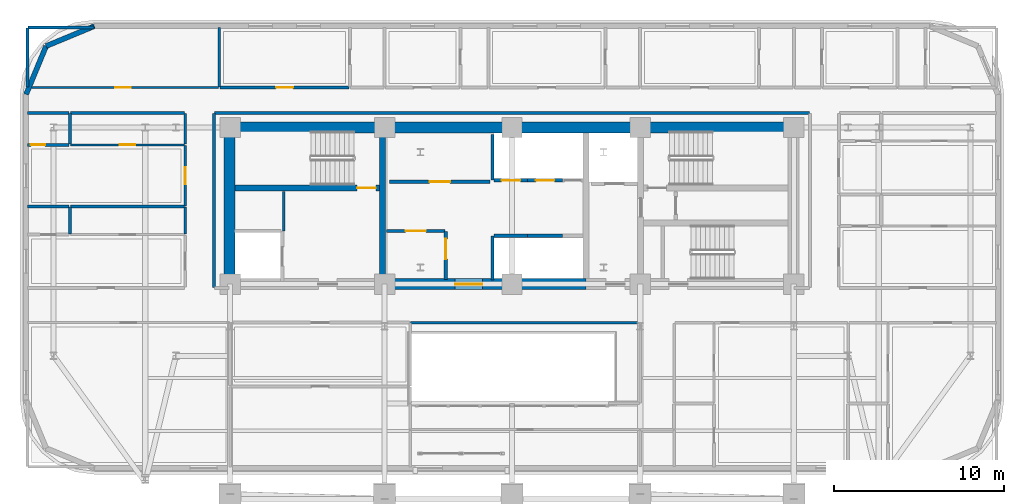
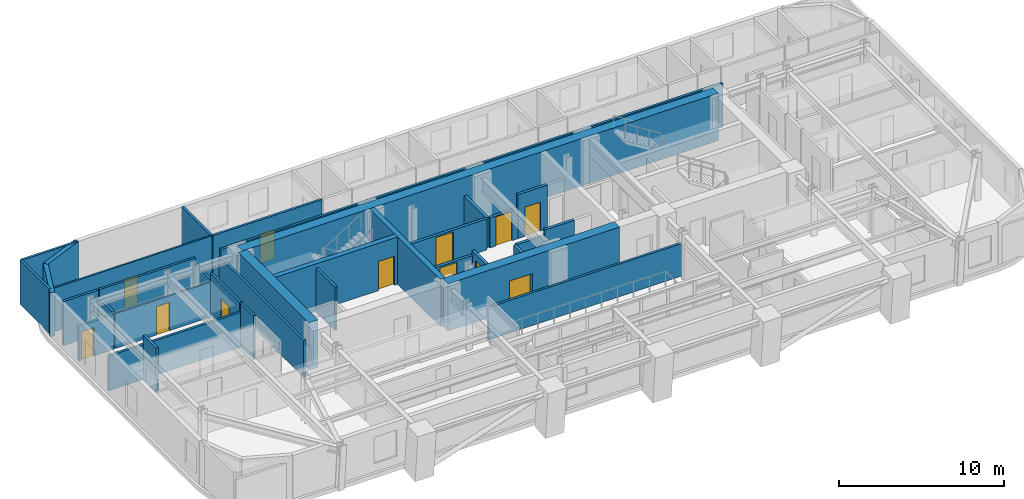
# One storey, part 9 of 16: 36 walls, 12 doors, 12 openings.
"""IFC4 building model written with IfcOpenShell, lengths in metres."""

import ifcopenshell
import ifcopenshell.guid

model = None  # the IFC model being written
_history = None  # IfcOwnerHistory: only IFC2X3 demands one
_inside = {}  # id of a spatial element -> (the spatial element, [elements in it])
_under = {}  # id of a project, library or spatial element -> (it, [spatial elements below it])
_declared = {}  # id of a project -> (the project, [libraries it declares])
_typed = {}  # id of a type object -> (the type object, [elements of that type])
_made_of = {}  # id of a material, layer set ... -> (it, [elements and type objects made of it])


def new_model(schema):
    """Start an empty IFC model of exactly this schema.

    Asked for "IFC4X3", IfcOpenShell would pick the latest addendum, in which some entities
    have other attributes; the version numbers below select the first issue.
    IFC2X3 requires an IfcOwnerHistory on every rooted entity: one is made here for all.
    """
    global model, _history
    if schema == "IFC4X3":
        model = ifcopenshell.file(schema_version=(4, 3, 0, 0))
    else:
        model = ifcopenshell.file(schema=schema)
    _inside.clear()
    _under.clear()
    _declared.clear()
    _typed.clear()
    _made_of.clear()
    _history = None
    if model.schema == "IFC2X3":
        org = make("IfcOrganization", Name="unknown")
        user = make(
            "IfcPersonAndOrganization",
            ThePerson=make("IfcPerson", FamilyName="unknown"),
            TheOrganization=org,
        )
        app = make(
            "IfcApplication",
            ApplicationDeveloper=org,
            Version="unknown",
            ApplicationFullName="unknown",
            ApplicationIdentifier="unknown",
        )
        _history = make(
            "IfcOwnerHistory",
            OwningUser=user,
            OwningApplication=app,
            ChangeAction="ADDED",
            CreationDate=0,
        )
    return model


def make(cls, **values):
    """One entity of the class cls with the attributes given. An attribute that is None is left unset."""
    return model.create_entity(
        cls, **{name: value for name, value in values.items() if value is not None}
    )


def rooted(cls, **values):
    """An entity with a GlobalId (a new one), such as an element, a storey or a relation."""
    return make(cls, GlobalId=ifcopenshell.guid.new(), OwnerHistory=_history, **values)


def si_unit(unit_type, name, prefix=None):
    """IfcSIUnit, for example si_unit("LENGTHUNIT", "METRE", prefix="MILLI")."""
    return make("IfcSIUnit", UnitType=unit_type, Prefix=prefix, Name=name)


def assignment(units):
    """IfcUnitAssignment: the units of a project."""
    return None if units is None else make("IfcUnitAssignment", Units=units)


def point(xyz):
    """IfcCartesianPoint."""
    return None if xyz is None else make("IfcCartesianPoint", Coordinates=xyz)


def direction(xyz):
    """IfcDirection."""
    return None if xyz is None else make("IfcDirection", DirectionRatios=xyz)


def frame(location, z_axis=None, x_axis=None):
    """IfcAxis2Placement3D, a coordinate frame: its origin and axes. An axis left out is left unset."""
    return make(
        "IfcAxis2Placement3D",
        Location=point(location),
        Axis=direction(z_axis),
        RefDirection=direction(x_axis),
    )


def frame_2d(location, x_axis=None):
    """IfcAxis2Placement2D, a coordinate frame in the plane: its origin and x axis."""
    return make(
        "IfcAxis2Placement2D", Location=point(location), RefDirection=direction(x_axis)
    )


def origin():
    """The frame at (0, 0, 0) with its axes left unset."""
    return frame((0.0, 0.0, 0.0))


def place(relative_to, where):
    """IfcLocalPlacement: puts the frame where relative to a parent placement (None: the world)."""
    return make(
        "IfcLocalPlacement", PlacementRelTo=relative_to, RelativePlacement=where
    )


def context(
    kind, dimensions, precision=None, world=None, true_north=None, identifier=None
):
    """IfcGeometricRepresentationContext, for example the 3D "Model" context."""
    return make(
        "IfcGeometricRepresentationContext",
        ContextIdentifier=identifier,
        ContextType=kind,
        CoordinateSpaceDimension=dimensions,
        Precision=precision,
        WorldCoordinateSystem=world,
        TrueNorth=true_north,
    )


def subcontext(parent, identifier, kind, view, scale=None):
    """IfcGeometricRepresentationSubContext, for example "Body" below "Model"."""
    return make(
        "IfcGeometricRepresentationSubContext",
        ContextIdentifier=identifier,
        ContextType=kind,
        ParentContext=parent,
        TargetScale=scale,
        TargetView=view,
    )


def project(units=None, contexts=None):
    """IfcProject with its units and contexts."""
    return rooted(
        "IfcProject",
        Name="project",
        RepresentationContexts=contexts,
        UnitsInContext=assignment(units),
    )


def spatial(cls, under=None, at=None, **own):
    """A site, building, storey or space (cls), placed at a placement, below another one or the project."""
    s = rooted(cls, ObjectPlacement=at, **own)
    if under is not None:
        _under.setdefault(under.id(), (under, []))[1].append(s)
    return s


def profile(cls, at=None, kind="AREA", **sizes):
    """A parametric profile (cls). Its sizes go by their IFC names, for example OverallWidth=200.0."""
    return make(cls, ProfileType=kind, Position=at, **sizes)


def rectangle(**sizes):
    """IfcRectangleProfileDef."""
    return profile("IfcRectangleProfileDef", **sizes)


def extrude(swept, where, along, depth):
    """IfcExtrudedAreaSolid: the profile swept, set in the frame where, extruded along a direction by depth."""
    return make(
        "IfcExtrudedAreaSolid",
        SweptArea=swept,
        Position=where,
        ExtrudedDirection=direction(along),
        Depth=depth,
    )


def shape(context_of_items, identifier, shape_type, items):
    """IfcShapeRepresentation: the items that make up one representation, for example the "Body"."""
    return make(
        "IfcShapeRepresentation",
        ContextOfItems=context_of_items,
        RepresentationIdentifier=identifier,
        RepresentationType=shape_type,
        Items=items,
    )


def material(Name=None, Category=None):
    """IfcMaterial."""
    return make("IfcMaterial", Name=Name, Category=Category)


def layer(
    of_material, thickness, ventilated=None, Name=None, Category=None, Priority=None
):
    """IfcMaterialLayer: one layer of a wall or slab, of a material (None: an air gap)."""
    return make(
        "IfcMaterialLayer",
        Material=of_material,
        LayerThickness=thickness,
        IsVentilated=ventilated,
        Name=Name,
        Category=Category,
        Priority=Priority,
    )


def layer_set(layers, Name=None):
    """IfcMaterialLayerSet."""
    return make("IfcMaterialLayerSet", MaterialLayers=layers, LayerSetName=Name)


def made_of(thing, what):
    """Note that an element or type object is made of a material, layer set ...; save() writes the relation."""
    if what is not None:
        _made_of.setdefault(what.id(), (what, []))[1].append(thing)
    return thing


def type_object(cls, material=None, **own):
    """A type object (cls), such as IfcWallType, which elements share."""
    return made_of(rooted(cls, **own), material)


def element(
    cls,
    number,
    at=None,
    inside=None,
    cuts=None,
    type_object=None,
    material=None,
    context=None,
    identifier="Body",
    shape_type=None,
    held_by="IfcProductDefinitionShape",
    body=None,
    shapes=None,
    **own,
):
    """One element of the class cls, such as IfcWall. Its Tag is "e" and its number.

    at: its placement. inside: the storey or other place that contains it. cuts: it is an
    opening in that element (IfcRelVoidsElement). A single representation is given by context,
    identifier, shape_type and body (its items); several are given by shapes. held_by: the class
    of the entity that holds the representations. save() writes the other relations.
    """
    e = rooted(cls, Tag="e%d" % number, ObjectPlacement=at, **own)
    if body is not None:
        shapes = [shape(context, identifier, shape_type, body)]
    if shapes is not None:
        e.Representation = make(held_by, Representations=shapes)
    if inside is not None:
        _inside.setdefault(inside.id(), (inside, []))[1].append(e)
    if cuts is not None:
        rooted(
            "IfcRelVoidsElement", RelatingBuildingElement=cuts, RelatedOpeningElement=e
        )
    if type_object is not None:
        _typed.setdefault(type_object.id(), (type_object, []))[1].append(e)
    return made_of(e, material)


def fill(opening, filler):
    """IfcRelFillsElement: the door or window that sits in an opening."""
    return rooted(
        "IfcRelFillsElement",
        RelatingOpeningElement=opening,
        RelatedBuildingElement=filler,
    )


def aggregate(whole, parts):
    """IfcRelAggregates: a whole, such as a stair, and the parts it consists of."""
    return rooted("IfcRelAggregates", RelatingObject=whole, RelatedObjects=parts)


def save(model, path):
    """Write the relations noted so far, then the file.

    IfcRelAggregates (storeys below a building ...), IfcRelContainedInSpatialStructure (elements
    in a storey), IfcRelDefinesByType, IfcRelAssociatesMaterial and IfcRelDeclares: one each for
    every whole, place, type object, material and project.
    """
    for whole, parts in _under.values():
        aggregate(whole, parts)
    for where, things in _inside.values():
        rooted(
            "IfcRelContainedInSpatialStructure",
            RelatedElements=things,
            RelatingStructure=where,
        )
    for kind, things in _typed.values():
        rooted("IfcRelDefinesByType", RelatedObjects=things, RelatingType=kind)
    for what, things in _made_of.values():
        rooted("IfcRelAssociatesMaterial", RelatedObjects=things, RelatingMaterial=what)
    for by, libraries in _declared.values():
        rooted("IfcRelDeclares", RelatingContext=by, RelatedDefinitions=libraries)
    model.write(path)


model = new_model("IFC4")

# Units and contexts
model_context = context("Model", 3, precision=1e-05, world=origin(), true_north=direction((0.0, 1.0)))
body_context = subcontext(model_context, "Body", "Model", "MODEL_VIEW")
ifc_project = project(units=[si_unit("LENGTHUNIT", "METRE"), si_unit("AREAUNIT", "SQUARE_METRE"), si_unit("VOLUMEUNIT", "CUBIC_METRE"), si_unit("PLANEANGLEUNIT", "RADIAN"), si_unit("MASSUNIT", "GRAM", prefix="KILO")], contexts=[model_context])

# Site, building, storey
site_placement = place(None, origin())
site = spatial("IfcSite", under=ifc_project, at=site_placement, CompositionType="ELEMENT")
building_placement = place(site_placement, origin())
building = spatial("IfcBuilding", under=site, at=building_placement, Name="Zarnavel Station Tower", CompositionType="ELEMENT")
storey_placement = place(building_placement, frame((0.0, 0.0, 118.800048828125)))
storey = spatial("IfcBuildingStorey", under=building, at=storey_placement, Name="L32", CompositionType="ELEMENT", Elevation=118.800048828125)

# Wall
ifc_material_1 = material(Name="Concrete C50/60", Category="concrete")
ifc_layer_1 = layer(ifc_material_1, 0.35009765625)
ifc_layer_set_1 = layer_set([ifc_layer_1], Name="CW_350")
wall_type_1 = type_object("IfcWallType", Name="CW_350", PredefinedType="SHEAR", material=ifc_layer_set_1)
wall_1_placement = place(storey_placement, frame((21.179931640625, 28.14501953125, 0.0), z_axis=(0.0, 0.0, 1.0), x_axis=(0.0, 1.0, 0.0)))
element("IfcWall", 1, at=wall_1_placement, inside=storey, type_object=wall_type_1, Name="L32 Rear Core Shear Wall DIV-W", PredefinedType="SHEAR", context=body_context, shape_type="SweptSolid", body=[
    extrude(rectangle(XDim=8.580078125, YDim=0.35009765625, at=frame_2d((4.2900390625, 0.0))), origin(), (0.0, 0.0, 1.0), 3.5),
])

# Wall, opening, door
wall_2_placement = place(storey_placement, frame((21.0048828125, 33.47998046875, 0.0), z_axis=(0.0, 0.0, 1.0), x_axis=(-1.0, 0.0, 0.0)))
wall_2 = element("IfcWall", 2, at=wall_2_placement, inside=storey, type_object=wall_type_1, Name="L32 Rear Core Shear Wall DIV-H1", PredefinedType="SHEAR", context=body_context, shape_type="SweptSolid", body=[
    extrude(rectangle(XDim=8.52978515625, YDim=0.35009765625, at=frame_2d((4.264892578125, 0.0))), origin(), (0.0, 0.0, 1.0), 3.5),
])
opening_1_placement = place(wall_2_placement, frame((0.219970703125, 0.0, 0.0)))
opening_1 = element("IfcOpeningElement", 3, at=opening_1_placement, cuts=wall_2, Name="Opening FD01", PredefinedType="OPENING", context=body_context, shape_type="SweptSolid", body=[
    extrude(rectangle(XDim=1.10009765625, YDim=2.14990234375, at=frame_2d((0.550048828125, 1.074951171875))), frame((0.0, 0.18505859375, 0.0), z_axis=(0.0, -1.0, 0.0), x_axis=(1.0, 0.0, 0.0)), (0.0, 0.0, 1.0), 0.3701171875),
])
ifc_material_2 = material(Name="Painted Galvanised Steel and Hardwood Leaf", Category="steel")
door_type_1 = type_object("IfcDoorType", Name="ID_STAIR_1100", OperationType="NOTDEFINED", PredefinedType="DOOR", material=ifc_material_2)
door_1_placement = place(opening_1_placement, origin())
door_1 = element("IfcDoor", 4, at=door_1_placement, inside=storey, type_object=door_type_1, Name="L32 Stair ST1 Lobby Fire Door", OperationType="SINGLE_SWING_LEFT", OverallHeight=2.14990234375, OverallWidth=1.10009765625, PredefinedType="DOOR", context=body_context, shape_type="SweptSolid", body=[
    extrude(rectangle(XDim=1.10009765625, YDim=2.14990234375, at=frame_2d((0.550048828125, 1.074951171875))), frame((0.0, 0.02490234375, 0.0), z_axis=(0.0, -1.0, 0.0), x_axis=(1.0, 0.0, 0.0)), (0.0, 0.0, 1.0), 0.050048828125),
])
fill(opening_1, door_1)

# Wall
ifc_material_3 = material(Name="Concrete C60/75", Category="concrete")
ifc_layer_2 = layer(ifc_material_3, 0.64990234375)
ifc_layer_set_2 = layer_set([ifc_layer_2], Name="CW_650")
wall_type_2 = type_object("IfcWallType", Name="CW_650", PredefinedType="SHEAR", material=ifc_layer_set_2)
wall_3_placement = place(storey_placement, frame((12.14990234375, 37.050048828125, 0.0), z_axis=(0.0, 0.0, 1.0), x_axis=(1.0, 0.0, 0.0)))
element("IfcWall", 5, at=wall_3_placement, inside=storey, type_object=wall_type_2, Name="L32 Rear Core Shear Wall N", PredefinedType="SHEAR", context=body_context, shape_type="SweptSolid", body=[
    extrude(rectangle(XDim=33.22998046875, YDim=0.64990234375, at=frame_2d((16.614990234375, 0.0))), origin(), (0.0, 0.0, 1.0), 3.5),
])

# Wall, opening, door
wall_4_placement = place(storey_placement, frame((33.14990234375, 27.820068359375, 0.0), z_axis=(0.0, 0.0, 1.0), x_axis=(-1.0, 0.0, 0.0)))
wall_4 = element("IfcWall", 6, at=wall_4_placement, inside=storey, type_object=wall_type_2, Name="L32 Rear Core Shear Wall S-M", PredefinedType="SHEAR", context=body_context, shape_type="SweptSolid", body=[
    extrude(rectangle(XDim=11.969970703125, YDim=0.64990234375, at=frame_2d((5.98486328125, 0.0))), origin(), (0.0, 0.0, 1.0), 3.5),
])
opening_2_placement = place(wall_4_placement, frame((6.10009765625, 0.0, 0.0)))
opening_2 = element("IfcOpeningElement", 7, at=opening_2_placement, cuts=wall_4, Name="Opening ID03", PredefinedType="OPENING", context=body_context, shape_type="SweptSolid", body=[
    extrude(rectangle(XDim=1.60009765625, YDim=2.199951171875, at=frame_2d((0.800048828125, 1.10009765625))), frame((0.0, 0.3349609375, 0.0), z_axis=(0.0, -1.0, 0.0), x_axis=(1.0, 0.0, 0.0)), (0.0, 0.0, 1.0), 0.669921875),
])
ifc_material_4 = material(Name="Painted Galvanised Steel and Hardwood Leaf", Category="steel")
door_type_2 = type_object("IfcDoorType", Name="ID_PUBLIC_1600", OperationType="DOUBLE_DOOR_SINGLE_SWING", PredefinedType="DOOR", material=ifc_material_4)
door_2_placement = place(opening_2_placement, origin())
door_2 = element("IfcDoor", 8, at=door_2_placement, inside=storey, type_object=door_type_2, Name="L32 Passenger Lift Lobby Double Door", OperationType="SINGLE_SWING_LEFT", OverallHeight=2.199951171875, OverallWidth=1.60009765625, PredefinedType="DOOR", context=body_context, shape_type="SweptSolid", body=[
    extrude(rectangle(XDim=1.60009765625, YDim=2.199951171875, at=frame_2d((0.800048828125, 1.10009765625))), frame((0.0, 0.02490234375, 0.0), z_axis=(0.0, -1.0, 0.0), x_axis=(1.0, 0.0, 0.0)), (0.0, 0.0, 1.0), 0.050048828125),
])
fill(opening_2, door_2)

# Walls
wall_5_placement = place(storey_placement, frame((12.14990234375, 28.14501953125, 0.0), z_axis=(0.0, 0.0, 1.0), x_axis=(0.0, 1.0, 0.0)))
element("IfcWall", 9, at=wall_5_placement, inside=storey, type_object=wall_type_2, Name="L32 Rear Core Shear Wall W", PredefinedType="SHEAR", context=body_context, shape_type="SweptSolid", body=[
    extrude(rectangle(XDim=8.580078125, YDim=0.64990234375, at=frame_2d((4.2900390625, 0.0))), origin(), (0.0, 0.0, 1.0), 3.5),
])
ifc_material_5 = material(Name="Precast concrete C45/55 (Dark Basalt Finish)", Category="masonry")
ifc_layer_3 = layer(ifc_material_5, 0.300048828125)
ifc_layer_set_3 = layer_set([ifc_layer_3], Name="EW_BASALT_300")
wall_type_3 = type_object("IfcWallType", Name="EW_BASALT_300", PredefinedType="SOLIDWALL", material=ifc_layer_set_3)
for number, where, z_axis, x_axis, name in (
    (10, (1.357421875, 41.842529296875, 0.0), (0.0, 0.0, 1.0), (0.923870793506, 0.382704529509, 0.0), "L32 Exterior Basalt Masonry Frame Wall 07"),
    (11, (0.179931640625, 39.0, 0.0), (0.0, 0.0, 1.0), (0.382704529509, 0.923870793506, 0.0), "L32 Exterior Basalt Masonry Frame Wall 08"),
):
    element("IfcWall", number, at=place(storey_placement, frame(where, z_axis=z_axis, x_axis=x_axis)), inside=storey, type_object=wall_type_3, Name=name, PredefinedType="SOLIDWALL", context=body_context, shape_type="SweptSolid", body=[
        extrude(rectangle(XDim=3.07666015625, YDim=0.300048828125, at=frame_2d((1.538330078125, 0.0))), origin(), (0.0, 0.0, 1.0), 3.239990234375),
    ])
ifc_material_6 = material(Name="Gypsum Twin-Stud Acoustic Fire Partition", Category="concrete")
ifc_layer_4 = layer(ifc_material_6, 0.159912109375)
ifc_layer_set_4 = layer_set([ifc_layer_4], Name="PT_DEMISE_160")
wall_type_4 = type_object("IfcWallType", Name="PT_DEMISE_160", PredefinedType="PARTITIONING", material=ifc_layer_set_4)
wall_6_placement = place(storey_placement, frame((9.550048828125, 30.781005859375, 0.0), z_axis=(0.0, 0.0, 1.0), x_axis=(0.0, 1.0, 0.0)))
element("IfcWall", 12, at=wall_6_placement, inside=storey, type_object=wall_type_4, Name="L32 Partition COR-W-FNW1S", PredefinedType="PARTITIONING", context=body_context, shape_type="SweptSolid", body=[
    extrude(rectangle(XDim=1.570068359375, YDim=0.159912109375, at=frame_2d((0.78515625, 0.0))), origin(), (0.0, 0.0, 1.0), 3.239990234375),
])

# Wall, opening, door
wall_7_placement = place(storey_placement, frame((9.550048828125, 32.430908203125, 0.0), z_axis=(0.0, 0.0, 1.0), x_axis=(0.0, 1.0, 0.0)))
wall_7 = element("IfcWall", 13, at=wall_7_placement, inside=storey, type_object=wall_type_4, Name="L32 Partition COR-W-FNW2R", PredefinedType="PARTITIONING", context=body_context, shape_type="SweptSolid", body=[
    extrude(rectangle(XDim=3.55615234375, YDim=0.159912109375, at=frame_2d((1.778076171875, 0.0))), origin(), (0.0, 0.0, 1.0), 3.239990234375),
])
opening_3_placement = place(wall_7_placement, frame((1.278076171875, 0.0, 0.0)))
opening_3 = element("IfcOpeningElement", 14, at=opening_3_placement, cuts=wall_7, Name="Opening FD02", PredefinedType="OPENING", context=body_context, shape_type="SweptSolid", body=[
    extrude(rectangle(XDim=1.0, YDim=2.14990234375, at=frame_2d((0.5, 1.074951171875))), frame((0.0, 0.08984375, 0.0), z_axis=(0.0, -1.0, 0.0), x_axis=(1.0, 0.0, 0.0)), (0.0, 0.0, 1.0), 0.179931640625),
])
ifc_material_7 = material(Name="Painted Galvanised Steel and Hardwood Leaf", Category="steel")
door_type_3 = type_object("IfcDoorType", Name="ID_ENTRY_1000", OperationType="NOTDEFINED", PredefinedType="DOOR", material=ifc_material_7)
door_3_placement = place(opening_3_placement, origin())
door_3 = element("IfcDoor", 15, at=door_3_placement, inside=storey, type_object=door_type_3, Name="L32 Door COR-W-FNW2R", OperationType="SINGLE_SWING_RIGHT", OverallHeight=2.14990234375, OverallWidth=1.0, PredefinedType="DOOR", context=body_context, shape_type="SweptSolid", body=[
    extrude(rectangle(XDim=1.0, YDim=2.14990234375, at=frame_2d((0.5, 1.074951171875))), frame((0.0, 0.02490234375, 0.0), z_axis=(0.0, -1.0, 0.0), x_axis=(1.0, 0.0, 0.0)), (0.0, 0.0, 1.0), 0.050048828125),
])
fill(opening_3, door_3)

# Walls
wall_8_placement = place(storey_placement, frame((9.550048828125, 36.06689453125, 0.0), z_axis=(0.0, 0.0, 1.0), x_axis=(0.0, 1.0, 0.0)))
element("IfcWall", 16, at=wall_8_placement, inside=storey, type_object=wall_type_4, Name="L32 Partition COR-W-FNW2S", PredefinedType="PARTITIONING", context=body_context, shape_type="SweptSolid", body=[
    extrude(rectangle(XDim=1.793212890625, YDim=0.159912109375, at=frame_2d((0.896484375, 0.0))), origin(), (0.0, 0.0, 1.0), 2.719970703125),
])
wall_9_placement = place(storey_placement, frame((2.800048828125, 37.89990234375, 0.0), z_axis=(0.0, 0.0, 1.0), x_axis=(1.0, 0.0, 0.0)))
element("IfcWall", 17, at=wall_9_placement, inside=storey, type_object=wall_type_4, Name="L32 Partition COR-N-FNW2S", PredefinedType="PARTITIONING", context=body_context, shape_type="SweptSolid", body=[
    extrude(rectangle(XDim=6.7099609375, YDim=0.159912109375, at=frame_2d((3.35498046875, 0.0))), origin(), (0.0, 0.0, 1.0), 3.239990234375),
])

# Wall, opening, door
wall_10_placement = place(storey_placement, frame((11.60009765625, 39.39990234375, 0.0), z_axis=(0.0, 0.0, 1.0), x_axis=(1.0, 0.0, 0.0)))
wall_10 = element("IfcWall", 18, at=wall_10_placement, inside=storey, type_object=wall_type_4, Name="L32 Partition COR-N-HN1R", PredefinedType="PARTITIONING", context=body_context, shape_type="SweptSolid", body=[
    extrude(rectangle(XDim=7.60986328125, YDim=0.159912109375, at=frame_2d((3.804931640625, 0.0))), origin(), (0.0, 0.0, 1.0), 3.239990234375),
])
opening_4_placement = place(wall_10_placement, frame((3.304931640625, 0.0, 0.0)))
opening_4 = element("IfcOpeningElement", 19, at=opening_4_placement, cuts=wall_10, Name="Opening FD02", PredefinedType="OPENING", context=body_context, shape_type="SweptSolid", body=[
    extrude(rectangle(XDim=1.0, YDim=2.14990234375, at=frame_2d((0.5, 1.074951171875))), frame((0.0, 0.08984375, 0.0), z_axis=(0.0, -1.0, 0.0), x_axis=(1.0, 0.0, 0.0)), (0.0, 0.0, 1.0), 0.179931640625),
])
door_4_placement = place(opening_4_placement, origin())
door_4 = element("IfcDoor", 20, at=door_4_placement, inside=storey, type_object=door_type_3, Name="L32 Door COR-N-HN1R", OperationType="SINGLE_SWING_RIGHT", OverallHeight=2.14990234375, OverallWidth=1.0, PredefinedType="DOOR", context=body_context, shape_type="SweptSolid", body=[
    extrude(rectangle(XDim=1.0, YDim=2.14990234375, at=frame_2d((0.5, 1.074951171875))), frame((0.0, 0.02490234375, 0.0), z_axis=(0.0, -1.0, 0.0), x_axis=(1.0, 0.0, 0.0)), (0.0, 0.0, 1.0), 0.050048828125),
])
fill(opening_4, door_4)

# Walls
wall_11_placement = place(storey_placement, frame((2.800048828125, 32.39111328125, 0.0), z_axis=(0.0, 0.0, 1.0), x_axis=(1.0, 0.0, 0.0)))
element("IfcWall", 21, at=wall_11_placement, inside=storey, type_object=wall_type_4, Name="L32 Partition FNW1S-FNW2R", PredefinedType="PARTITIONING", context=body_context, shape_type="SweptSolid", body=[
    extrude(rectangle(XDim=6.7099609375, YDim=0.159912109375, at=frame_2d((3.35498046875, 0.0))), origin(), (0.0, 0.0, 1.0), 2.570068359375),
])
wall_12_placement = place(storey_placement, frame((11.56005859375, 39.43994140625, 0.0), z_axis=(0.0, 0.0, 1.0), x_axis=(0.0, 1.0, 0.0)))
element("IfcWall", 22, at=wall_12_placement, inside=storey, type_object=wall_type_4, Name="L32 Partition HSKP-HN1R", PredefinedType="PARTITIONING", context=body_context, shape_type="SweptSolid", body=[
    extrude(rectangle(XDim=3.5, YDim=0.159912109375, at=frame_2d((1.75, 0.0))), origin(), (0.0, 0.0, 1.0), 3.239990234375),
])
wall_13_placement = place(storey_placement, frame((15.35009765625, 30.9599609375, 0.0), z_axis=(0.0, 0.0, 1.0), x_axis=(0.0, 1.0, 0.0)))
element("IfcWall", 23, at=wall_13_placement, inside=storey, type_object=wall_type_4, Name="L32 Enclosure Wall FFL1", PredefinedType="PARTITIONING", context=body_context, shape_type="SweptSolid", body=[
    extrude(rectangle(XDim=2.31005859375, YDim=0.159912109375, at=frame_2d((1.155029296875, 0.0))), origin(), (0.0, 0.0, 1.0), 3.239990234375),
])
wall_14_placement = place(storey_placement, frame((22.830078125, 25.550048828125, 0.0), z_axis=(0.0, 0.0, 1.0), x_axis=(1.0, 0.0, 0.0)))
element("IfcWall", 24, at=wall_14_placement, inside=storey, type_object=wall_type_4, Name="L32 Enclosure Wall COR-S", PredefinedType="PARTITIONING", context=body_context, shape_type="SweptSolid", body=[
    extrude(rectangle(XDim=13.489990234375, YDim=0.159912109375, at=frame_2d((6.7451171875, 0.0))), origin(), (0.0, 0.0, 1.0), 2.406005859375),
])
wall_15_placement = place(storey_placement, frame((11.25, 27.6298828125, 0.0), z_axis=(0.0, 0.0, 1.0), x_axis=(0.0, 1.0, 0.0)))
element("IfcWall", 25, at=wall_15_placement, inside=storey, type_object=wall_type_4, Name="L32 Enclosure Wall COR-W", PredefinedType="PARTITIONING", context=body_context, shape_type="SweptSolid", body=[
    extrude(rectangle(XDim=10.240234375, YDim=0.159912109375, at=frame_2d((5.1201171875, 0.0))), origin(), (0.0, 0.0, 1.0), 2.719970703125),
])
wall_16_placement = place(storey_placement, frame((11.280029296875, 37.89990234375, 0.0), z_axis=(0.0, 0.0, 1.0), x_axis=(1.0, 0.0, 0.0)))
element("IfcWall", 26, at=wall_16_placement, inside=storey, type_object=wall_type_4, Name="L32 Enclosure Wall COR-N", PredefinedType="PARTITIONING", context=body_context, shape_type="SweptSolid", body=[
    extrude(rectangle(XDim=35.0400390625, YDim=0.159912109375, at=frame_2d((17.52001953125, 0.0))), origin(), (0.0, 0.0, 1.0), 3.239990234375),
])
wall_17_placement = place(storey_placement, frame((0.2900390625, 42.93994140625, 0.0), z_axis=(0.0, 0.0, 1.0), x_axis=(1.0, 0.0, 0.0)))
element("IfcWall", 27, at=wall_17_placement, inside=storey, type_object=wall_type_4, Name="L32 Enclosure Wall HSKP", PredefinedType="PARTITIONING", context=body_context, shape_type="SweptSolid", body=[
    extrude(rectangle(XDim=3.8798828125, YDim=0.159912109375, at=frame_2d((1.93994140625, 0.0))), origin(), (0.0, 0.0, 1.0), 3.239990234375),
])
wall_18_placement = place(storey_placement, frame((0.260009765625, 39.429931640625, 0.0), z_axis=(0.0, 0.0, 1.0), x_axis=(0.0, 1.0, 0.0)))
element("IfcWall", 28, at=wall_18_placement, inside=storey, type_object=wall_type_4, Name="L32 Enclosure Wall HSKP", PredefinedType="PARTITIONING", context=body_context, shape_type="SweptSolid", body=[
    extrude(rectangle(XDim=3.47998046875, YDim=0.159912109375, at=frame_2d((1.739990234375, 0.0))), origin(), (0.0, 0.0, 1.0), 3.239990234375),
])

# Wall, opening, door
ifc_material_8 = material(Name="Gypsum Metal-Stud Interior Partition", Category="concrete")
ifc_layer_5 = layer(ifc_material_8, 0.1201171875)
ifc_layer_set_5 = layer_set([ifc_layer_5], Name="PT_ROOM_120")
wall_type_5 = type_object("IfcWallType", Name="PT_ROOM_120", PredefinedType="PARTITIONING", material=ifc_layer_set_5)
wall_19_placement = place(storey_placement, frame((0.260009765625, 39.39990234375, 0.0), z_axis=(0.0, 0.0, 1.0), x_axis=(1.0, 0.0, 0.0)))
wall_19 = element("IfcWall", 29, at=wall_19_placement, inside=storey, type_object=wall_type_5, Name="L32 Partition COR-N-HSKP", PredefinedType="PARTITIONING", context=body_context, shape_type="SweptSolid", body=[
    extrude(rectangle(XDim=11.260009765625, YDim=0.1201171875, at=frame_2d((5.6298828125, 0.0))), origin(), (0.0, 0.0, 1.0), 3.239990234375),
])
opening_5_placement = place(wall_19_placement, frame((5.179931640625, 0.0, 0.0)))
opening_5 = element("IfcOpeningElement", 30, at=opening_5_placement, cuts=wall_19, Name="Opening ID01", PredefinedType="OPENING", context=body_context, shape_type="SweptSolid", body=[
    extrude(rectangle(XDim=0.89990234375, YDim=2.10009765625, at=frame_2d((0.449951171875, 1.050048828125))), frame((0.0, 0.070068359375, 0.0), z_axis=(0.0, -1.0, 0.0), x_axis=(1.0, 0.0, 0.0)), (0.0, 0.0, 1.0), 0.14013671875),
])
ifc_material_9 = material(Name="Painted Galvanised Steel and Hardwood Leaf", Category="steel")
door_type_4 = type_object("IfcDoorType", Name="ID_ROOM_900", OperationType="NOTDEFINED", PredefinedType="DOOR", material=ifc_material_9)
door_5_placement = place(opening_5_placement, origin())
door_5 = element("IfcDoor", 31, at=door_5_placement, inside=storey, type_object=door_type_4, Name="L32 Door COR-N-HSKP", OperationType="SINGLE_SWING_LEFT", OverallHeight=2.10009765625, OverallWidth=0.89990234375, PredefinedType="DOOR", context=body_context, shape_type="SweptSolid", body=[
    extrude(rectangle(XDim=0.89990234375, YDim=2.10009765625, at=frame_2d((0.449951171875, 1.050048828125))), frame((0.0, 0.02490234375, 0.0), z_axis=(0.0, -1.0, 0.0), x_axis=(1.0, 0.0, 0.0)), (0.0, 0.0, 1.0), 0.050048828125),
])
fill(opening_5, door_5)

wall_20_placement = place(storey_placement, frame((2.800048828125, 36.027099609375, 0.0), z_axis=(0.0, 0.0, 1.0), x_axis=(1.0, 0.0, 0.0)))
wall_20 = element("IfcWall", 32, at=wall_20_placement, inside=storey, type_object=wall_type_5, Name="L32 Partition FNW2R-FNW2S", PredefinedType="PARTITIONING", context=body_context, shape_type="SweptSolid", body=[
    extrude(rectangle(XDim=6.7099609375, YDim=0.1201171875, at=frame_2d((3.35498046875, 0.0))), origin(), (0.0, 0.0, 1.0), 2.570068359375),
])
opening_6_placement = place(wall_20_placement, frame((2.905029296875, 0.0, 0.0)))
opening_6 = element("IfcOpeningElement", 33, at=opening_6_placement, cuts=wall_20, Name="Opening ID01", PredefinedType="OPENING", context=body_context, shape_type="SweptSolid", body=[
    extrude(rectangle(XDim=0.89990234375, YDim=2.10009765625, at=frame_2d((0.449951171875, 1.050048828125))), frame((0.0, 0.070068359375, 0.0), z_axis=(0.0, -1.0, 0.0), x_axis=(1.0, 0.0, 0.0)), (0.0, 0.0, 1.0), 0.14013671875),
])
door_6_placement = place(opening_6_placement, origin())
door_6 = element("IfcDoor", 34, at=door_6_placement, inside=storey, type_object=door_type_4, Name="L32 Door FNW2R-FNW2S", OperationType="SINGLE_SWING_RIGHT", OverallHeight=2.10009765625, OverallWidth=0.89990234375, PredefinedType="DOOR", context=body_context, shape_type="SweptSolid", body=[
    extrude(rectangle(XDim=0.89990234375, YDim=2.10009765625, at=frame_2d((0.449951171875, 1.050048828125))), frame((0.0, 0.02490234375, 0.0), z_axis=(0.0, -1.0, 0.0), x_axis=(1.0, 0.0, 0.0)), (0.0, 0.0, 1.0), 0.050048828125),
])
fill(opening_6, door_6)

# Walls
ifc_material_10 = material(Name="Precast concrete C45/55 (Fire Shaft Blockwork)", Category="masonry")
ifc_layer_6 = layer(ifc_material_10, 0.199951171875)
ifc_layer_set_6 = layer_set([ifc_layer_6], Name="PT_SHAFT_200")
wall_type_6 = type_object("IfcWallType", Name="PT_SHAFT_200", PredefinedType="PARTITIONING", material=ifc_layer_set_6)
wall_21_placement = place(storey_placement, frame((27.75, 30.669921875, 0.0), z_axis=(0.0, 0.0, 1.0), x_axis=(1.0, 0.0, 0.0)))
element("IfcWall", 35, at=wall_21_placement, inside=storey, type_object=wall_type_6, Name="L32 Lift PL-H1 Shaft Front Wall", PredefinedType="PARTITIONING", context=body_context, shape_type="SweptSolid", body=[
    extrude(rectangle(XDim=1.97509765625, YDim=0.199951171875, at=frame_2d((0.987548828125, 0.0))), origin(), (0.0, 0.0, 1.0), 2.2119140625),
])
wall_22_placement = place(storey_placement, frame((27.64990234375, 28.070068359375, 0.0), z_axis=(0.0, 0.0, 1.0), x_axis=(0.0, 1.0, 0.0)))
element("IfcWall", 36, at=wall_22_placement, inside=storey, type_object=wall_type_6, Name="L32 High-Rise Lift Bank West Shaft Wall", PredefinedType="PARTITIONING", context=body_context, shape_type="SweptSolid", body=[
    extrude(rectangle(XDim=2.579833984375, YDim=0.199951171875, at=frame_2d((1.2900390625, 0.0))), origin(), (0.0, 0.0, 1.0), 2.2119140625),
])
wall_23_placement = place(storey_placement, frame((29.72509765625, 30.669921875, 0.0), z_axis=(0.0, 0.0, 1.0), x_axis=(1.0, 0.0, 0.0)))
element("IfcWall", 37, at=wall_23_placement, inside=storey, type_object=wall_type_6, Name="L32 Lift PL-H2 Shaft Front Wall", PredefinedType="PARTITIONING", context=body_context, shape_type="SweptSolid", body=[
    extrude(rectangle(XDim=2.0498046875, YDim=0.199951171875, at=frame_2d((1.02490234375, 0.0))), origin(), (0.0, 0.0, 1.0), 2.619873046875),
])

# Wall, opening, door
wall_24_placement = place(storey_placement, frame((27.75, 33.929931640625, 0.0), z_axis=(0.0, 0.0, 1.0), x_axis=(1.0, 0.0, 0.0)))
wall_24 = element("IfcWall", 38, at=wall_24_placement, inside=storey, type_object=wall_type_6, Name="L32 Lift PL-M1 Shaft Front Wall", PredefinedType="PARTITIONING", context=body_context, shape_type="SweptSolid", body=[
    extrude(rectangle(XDim=1.97509765625, YDim=0.199951171875, at=frame_2d((0.987548828125, 0.0))), origin(), (0.0, 0.0, 1.0), 2.2119140625),
])
opening_7_placement = place(wall_24_placement, frame((0.4375, 0.0, 0.0)))
opening_7 = element("IfcOpeningElement", 39, at=opening_7_placement, cuts=wall_24, Name="Opening LD02", PredefinedType="OPENING", context=body_context, shape_type="SweptSolid", body=[
    extrude(rectangle(XDim=1.10009765625, YDim=2.14990234375, at=frame_2d((0.550048828125, 1.074951171875))), frame((0.0, 0.10986328125, 0.0), z_axis=(0.0, -1.0, 0.0), x_axis=(1.0, 0.0, 0.0)), (0.0, 0.0, 1.0), 0.219970703125),
])
ifc_material_11 = material(Name="Painted Galvanised Steel and Hardwood Leaf", Category="steel")
door_type_5 = type_object("IfcDoorType", Name="LD_PAX_1100", OperationType="DOUBLE_DOOR_SLIDING", PredefinedType="DOOR", material=ifc_material_11)
door_7_placement = place(opening_7_placement, origin())
door_7 = element("IfcDoor", 40, at=door_7_placement, inside=storey, type_object=door_type_5, Name="L32 Lift PL-M1 Sliding Landing Door", OperationType="DOUBLE_DOOR_SLIDING", OverallHeight=2.14990234375, OverallWidth=1.10009765625, PredefinedType="DOOR", context=body_context, shape_type="SweptSolid", body=[
    extrude(rectangle(XDim=1.10009765625, YDim=2.14990234375, at=frame_2d((0.550048828125, 1.074951171875))), frame((0.0, 0.02490234375, 0.0), z_axis=(0.0, -1.0, 0.0), x_axis=(1.0, 0.0, 0.0)), (0.0, 0.0, 1.0), 0.050048828125),
])
fill(opening_7, door_7)

# Wall
wall_25_placement = place(storey_placement, frame((27.64990234375, 33.949951171875, 0.0), z_axis=(0.0, 0.0, 1.0), x_axis=(0.0, 1.0, 0.0)))
element("IfcWall", 41, at=wall_25_placement, inside=storey, type_object=wall_type_6, Name="L32 Mid-Rise Lift Bank West Shaft Wall", PredefinedType="PARTITIONING", context=body_context, shape_type="SweptSolid", body=[
    extrude(rectangle(XDim=2.679931640625, YDim=0.199951171875, at=frame_2d((1.33984375, 0.0))), origin(), (0.0, 0.0, 1.0), 2.2119140625),
])

# Wall, opening, door
wall_26_placement = place(storey_placement, frame((29.72509765625, 33.929931640625, 0.0), z_axis=(0.0, 0.0, 1.0), x_axis=(1.0, 0.0, 0.0)))
wall_26 = element("IfcWall", 42, at=wall_26_placement, inside=storey, type_object=wall_type_6, Name="L32 Lift PL-M2 Shaft Front Wall", PredefinedType="PARTITIONING", context=body_context, shape_type="SweptSolid", body=[
    extrude(rectangle(XDim=2.0498046875, YDim=0.199951171875, at=frame_2d((1.02490234375, 0.0))), origin(), (0.0, 0.0, 1.0), 3.239990234375),
])
opening_8_placement = place(wall_26_placement, frame((0.47509765625, 0.0, 0.0)))
opening_8 = element("IfcOpeningElement", 43, at=opening_8_placement, cuts=wall_26, Name="Opening LD02", PredefinedType="OPENING", context=body_context, shape_type="SweptSolid", body=[
    extrude(rectangle(XDim=1.10009765625, YDim=2.14990234375, at=frame_2d((0.550048828125, 1.074951171875))), frame((0.0, 0.10986328125, 0.0), z_axis=(0.0, -1.0, 0.0), x_axis=(1.0, 0.0, 0.0)), (0.0, 0.0, 1.0), 0.219970703125),
])
door_8_placement = place(opening_8_placement, origin())
door_8 = element("IfcDoor", 44, at=door_8_placement, inside=storey, type_object=door_type_5, Name="L32 Lift PL-M2 Sliding Landing Door", OperationType="DOUBLE_DOOR_SLIDING", OverallHeight=2.14990234375, OverallWidth=1.10009765625, PredefinedType="DOOR", context=body_context, shape_type="SweptSolid", body=[
    extrude(rectangle(XDim=1.10009765625, YDim=2.14990234375, at=frame_2d((0.550048828125, 1.074951171875))), frame((0.0, 0.02490234375, 0.0), z_axis=(0.0, -1.0, 0.0), x_axis=(1.0, 0.0, 0.0)), (0.0, 0.0, 1.0), 0.050048828125),
])
fill(opening_8, door_8)

wall_27_placement = place(storey_placement, frame((21.39990234375, 30.949951171875, 0.0), z_axis=(0.0, 0.0, 1.0), x_axis=(1.0, 0.0, 0.0)))
wall_27 = element("IfcWall", 45, at=wall_27_placement, inside=storey, type_object=wall_type_6, Name="L32 Partition LLOB-CS1", PredefinedType="PARTITIONING", context=body_context, shape_type="SweptSolid", body=[
    extrude(rectangle(XDim=3.460205078125, YDim=0.199951171875, at=frame_2d((1.72998046875, 0.0))), origin(), (0.0, 0.0, 1.0), 2.280029296875),
])
opening_9_placement = place(wall_27_placement, frame((1.1298828125, 0.0, 0.0)))
opening_9 = element("IfcOpeningElement", 46, at=opening_9_placement, cuts=wall_27, Name="Opening FD03", PredefinedType="OPENING", context=body_context, shape_type="SweptSolid", body=[
    extrude(rectangle(XDim=1.199951171875, YDim=2.14990234375, at=frame_2d((0.60009765625, 1.074951171875))), frame((0.0, 0.10986328125, 0.0), z_axis=(0.0, -1.0, 0.0), x_axis=(1.0, 0.0, 0.0)), (0.0, 0.0, 1.0), 0.219970703125),
])
ifc_material_12 = material(Name="Painted Galvanised Steel and Hardwood Leaf", Category="steel")
door_type_6 = type_object("IfcDoorType", Name="ID_PLANT_1200", OperationType="NOTDEFINED", PredefinedType="DOOR", material=ifc_material_12)
door_9_placement = place(opening_9_placement, origin())
door_9 = element("IfcDoor", 47, at=door_9_placement, inside=storey, type_object=door_type_6, Name="L32 Door LLOB-CS1", OperationType="SINGLE_SWING_RIGHT", OverallHeight=2.14990234375, OverallWidth=1.199951171875, PredefinedType="DOOR", context=body_context, shape_type="SweptSolid", body=[
    extrude(rectangle(XDim=1.199951171875, YDim=2.14990234375, at=frame_2d((0.60009765625, 1.074951171875))), frame((0.0, 0.02490234375, 0.0), z_axis=(0.0, -1.0, 0.0), x_axis=(1.0, 0.0, 0.0)), (0.0, 0.0, 1.0), 0.050048828125),
])
fill(opening_9, door_9)

wall_28_placement = place(storey_placement, frame((21.590087890625, 33.85009765625, 0.0), z_axis=(0.0, 0.0, 1.0), x_axis=(1.0, 0.0, 0.0)))
wall_28 = element("IfcWall", 48, at=wall_28_placement, inside=storey, type_object=wall_type_6, Name="L32 Partition LLOB-FB1A", PredefinedType="PARTITIONING", context=body_context, shape_type="SweptSolid", body=[
    extrude(rectangle(XDim=5.919921875, YDim=0.199951171875, at=frame_2d((2.9599609375, 0.0))), origin(), (0.0, 0.0, 1.0), 2.280029296875),
])
opening_10_placement = place(wall_28_placement, frame((2.360107421875, 0.0, 0.0)))
opening_10 = element("IfcOpeningElement", 49, at=opening_10_placement, cuts=wall_28, Name="Opening FD03", PredefinedType="OPENING", context=body_context, shape_type="SweptSolid", body=[
    extrude(rectangle(XDim=1.199951171875, YDim=2.14990234375, at=frame_2d((0.60009765625, 1.074951171875))), frame((0.0, 0.10986328125, 0.0), z_axis=(0.0, -1.0, 0.0), x_axis=(1.0, 0.0, 0.0)), (0.0, 0.0, 1.0), 0.219970703125),
])
door_10_placement = place(opening_10_placement, origin())
door_10 = element("IfcDoor", 50, at=door_10_placement, inside=storey, type_object=door_type_6, Name="L32 Door LLOB-FB1A", OperationType="SINGLE_SWING_LEFT", OverallHeight=2.14990234375, OverallWidth=1.199951171875, PredefinedType="DOOR", context=body_context, shape_type="SweptSolid", body=[
    extrude(rectangle(XDim=1.199951171875, YDim=2.14990234375, at=frame_2d((0.60009765625, 1.074951171875))), frame((0.0, 0.02490234375, 0.0), z_axis=(0.0, -1.0, 0.0), x_axis=(1.0, 0.0, 0.0)), (0.0, 0.0, 1.0), 0.050048828125),
])
fill(opening_10, door_10)

wall_29_placement = place(storey_placement, frame((24.89990234375, 28.090087890625, 0.0), z_axis=(0.0, 0.0, 1.0), x_axis=(0.0, 1.0, 0.0)))
wall_29 = element("IfcWall", 51, at=wall_29_placement, inside=storey, type_object=wall_type_6, Name="L32 Partition LLOBS-CS1", PredefinedType="PARTITIONING", context=body_context, shape_type="SweptSolid", body=[
    extrude(rectangle(XDim=2.81982421875, YDim=0.199951171875, at=frame_2d((1.409912109375, 0.0))), origin(), (0.0, 0.0, 1.0), 2.619873046875),
])
opening_11_placement = place(wall_29_placement, frame((1.20068359375, 0.0, 0.0)))
opening_11 = element("IfcOpeningElement", 52, at=opening_11_placement, cuts=wall_29, Name="Opening FD03", PredefinedType="OPENING", context=body_context, shape_type="SweptSolid", body=[
    extrude(rectangle(XDim=1.199951171875, YDim=2.14990234375, at=frame_2d((0.60009765625, 1.074951171875))), frame((0.0, 0.10986328125, 0.0), z_axis=(0.0, -1.0, 0.0), x_axis=(1.0, 0.0, 0.0)), (0.0, 0.0, 1.0), 0.219970703125),
])
door_11_placement = place(opening_11_placement, origin())
door_11 = element("IfcDoor", 53, at=door_11_placement, inside=storey, type_object=door_type_6, Name="L32 Door LLOBS-CS1", OperationType="SINGLE_SWING_RIGHT", OverallHeight=2.14990234375, OverallWidth=1.199951171875, PredefinedType="DOOR", context=body_context, shape_type="SweptSolid", body=[
    extrude(rectangle(XDim=1.199951171875, YDim=2.14990234375, at=frame_2d((0.60009765625, 1.074951171875))), frame((0.0, 0.02490234375, 0.0), z_axis=(0.0, -1.0, 0.0), x_axis=(1.0, 0.0, 0.0)), (0.0, 0.0, 1.0), 0.050048828125),
])
fill(opening_11, door_11)

# Walls
ifc_material_13 = material(Name="Moisture-Resistant Plumbing Chase Wall", Category="concrete")
ifc_layer_7 = layer(ifc_material_13, 0.179931640625)
ifc_layer_set_7 = layer_set([ifc_layer_7], Name="PW_PLUMB_180")
wall_type_7 = type_object("IfcWallType", Name="PW_PLUMB_180", PredefinedType="PLUMBINGWALL", material=ifc_layer_set_7)
wall_30_placement = place(storey_placement, frame((0.260009765625, 37.89990234375, 0.0), z_axis=(0.0, 0.0, 1.0), x_axis=(1.0, 0.0, 0.0)))
element("IfcWall", 54, at=wall_30_placement, inside=storey, type_object=wall_type_7, Name="L32 Partition COR-N-FNW2B", PredefinedType="PLUMBINGWALL", context=body_context, shape_type="SweptSolid", body=[
    extrude(rectangle(XDim=2.4599609375, YDim=0.179931640625, at=frame_2d((1.22998046875, 0.0))), origin(), (0.0, 0.0, 1.0), 3.239990234375),
])
wall_31_placement = place(storey_placement, frame((2.760009765625, 30.781005859375, 0.0), z_axis=(0.0, 0.0, 1.0), x_axis=(0.0, 1.0, 0.0)))
element("IfcWall", 55, at=wall_31_placement, inside=storey, type_object=wall_type_7, Name="L32 Partition FNW1B-FNW1S", PredefinedType="PLUMBINGWALL", context=body_context, shape_type="SweptSolid", body=[
    extrude(rectangle(XDim=1.570068359375, YDim=0.179931640625, at=frame_2d((0.78515625, 0.0))), origin(), (0.0, 0.0, 1.0), 3.239990234375),
])
wall_32_placement = place(storey_placement, frame((0.260009765625, 32.39111328125, 0.0), z_axis=(0.0, 0.0, 1.0), x_axis=(1.0, 0.0, 0.0)))
element("IfcWall", 56, at=wall_32_placement, inside=storey, type_object=wall_type_7, Name="L32 Partition FNW1B-FNW2R", PredefinedType="PLUMBINGWALL", context=body_context, shape_type="SweptSolid", body=[
    extrude(rectangle(XDim=2.4599609375, YDim=0.179931640625, at=frame_2d((1.22998046875, 0.0))), origin(), (0.0, 0.0, 1.0), 2.570068359375),
])

# Wall, opening, door
wall_33_placement = place(storey_placement, frame((0.260009765625, 36.027099609375, 0.0), z_axis=(0.0, 0.0, 1.0), x_axis=(1.0, 0.0, 0.0)))
wall_33 = element("IfcWall", 57, at=wall_33_placement, inside=storey, type_object=wall_type_7, Name="L32 Partition FNW2R-FNW2B", PredefinedType="PLUMBINGWALL", context=body_context, shape_type="SweptSolid", body=[
    extrude(rectangle(XDim=2.4599609375, YDim=0.179931640625, at=frame_2d((1.22998046875, 0.0))), origin(), (0.0, 0.0, 1.0), 2.570068359375),
])
opening_12_placement = place(wall_33_placement, frame((0.1953125, 0.0, 0.0)))
opening_12 = element("IfcOpeningElement", 58, at=opening_12_placement, cuts=wall_33, Name="Opening ID02", PredefinedType="OPENING", context=body_context, shape_type="SweptSolid", body=[
    extrude(rectangle(XDim=0.85009765625, YDim=2.10009765625, at=frame_2d((0.425048828125, 1.050048828125))), frame((0.0, 0.099853515625, 0.0), z_axis=(0.0, -1.0, 0.0), x_axis=(1.0, 0.0, 0.0)), (0.0, 0.0, 1.0), 0.199951171875),
])
ifc_material_14 = material(Name="Painted Galvanised Steel and Hardwood Leaf", Category="steel")
door_type_7 = type_object("IfcDoorType", Name="ID_BATH_850", OperationType="NOTDEFINED", PredefinedType="DOOR", material=ifc_material_14)
door_12_placement = place(opening_12_placement, origin())
door_12 = element("IfcDoor", 59, at=door_12_placement, inside=storey, type_object=door_type_7, Name="L32 Door FNW2R-FNW2B", OperationType="SINGLE_SWING_LEFT", OverallHeight=2.10009765625, OverallWidth=0.85009765625, PredefinedType="DOOR", context=body_context, shape_type="SweptSolid", body=[
    extrude(rectangle(XDim=0.85009765625, YDim=2.10009765625, at=frame_2d((0.425048828125, 1.050048828125))), frame((0.0, 0.02490234375, 0.0), z_axis=(0.0, -1.0, 0.0), x_axis=(1.0, 0.0, 0.0)), (0.0, 0.0, 1.0), 0.050048828125),
])
fill(opening_12, door_12)

# Wall
wall_34_placement = place(storey_placement, frame((2.760009765625, 36.06689453125, 0.0), z_axis=(0.0, 0.0, 1.0), x_axis=(0.0, 1.0, 0.0)))
element("IfcWall", 60, at=wall_34_placement, inside=storey, type_object=wall_type_7, Name="L32 Partition FNW2B-FNW2S", PredefinedType="PLUMBINGWALL", context=body_context, shape_type="SweptSolid", body=[
    extrude(rectangle(XDim=1.793212890625, YDim=0.179931640625, at=frame_2d((0.896484375, 0.0))), origin(), (0.0, 0.0, 1.0), 2.719970703125),
])

save(model, "model.ifc")
